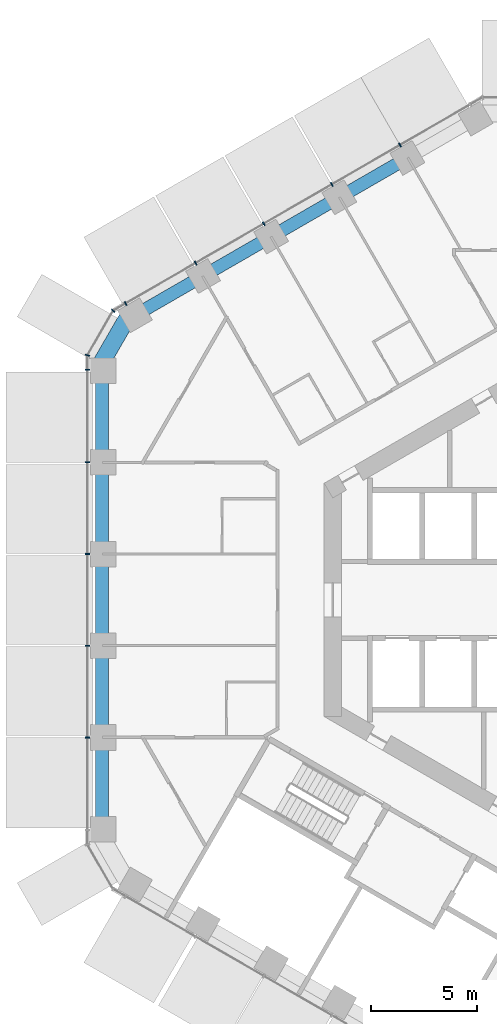
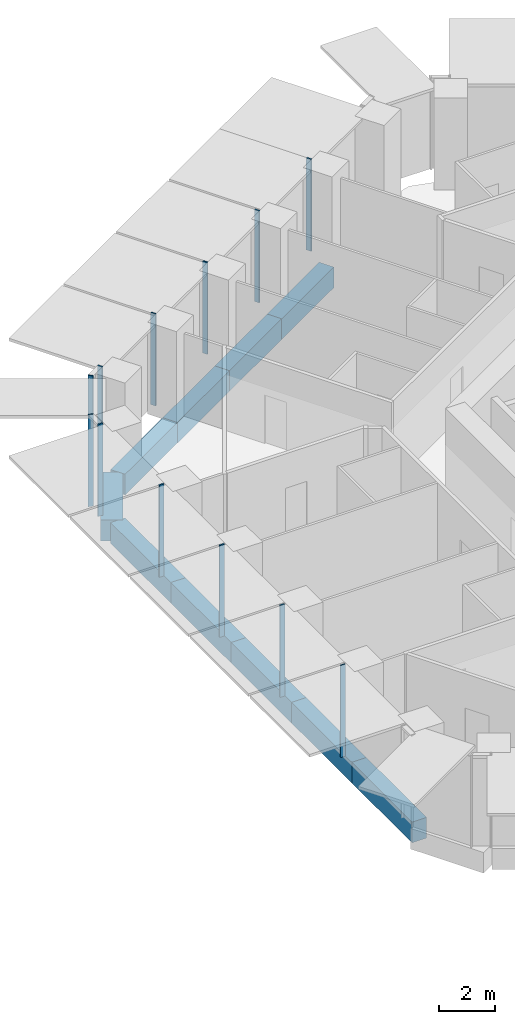
# One storey, part 6 of 28: 12 members, 10 beams, 3 elements without a shape of their own.
"""IFC4 building model written with IfcOpenShell, lengths in metres."""

from ifc_helpers import new_model, si_unit, direction, frame, origin, origin_2d, place, context, subcontext, project, spatial, rectangle, extrude, material, layer, layer_set, material_profile, profile_set, type_object, element, aggregate, save


model = new_model("IFC4")

# Units and contexts
model_context = context("Model", 3, precision=1e-05, world=origin(), true_north=direction((0.0, 1.0)))
body_context = subcontext(model_context, "Body", "Model", "MODEL_VIEW")
ifc_project = project(units=[si_unit("LENGTHUNIT", "METRE"), si_unit("AREAUNIT", "SQUARE_METRE"), si_unit("VOLUMEUNIT", "CUBIC_METRE"), si_unit("PLANEANGLEUNIT", "RADIAN"), si_unit("MASSUNIT", "GRAM", prefix="KILO")], contexts=[model_context])

# Site, building, storey
site_placement = place(None, origin())
site = spatial("IfcSite", under=ifc_project, at=site_placement, CompositionType="ELEMENT")
building_placement = place(site_placement, origin())
building = spatial("IfcBuilding", under=site, at=building_placement, Name="Ayvan Gate Tower", CompositionType="ELEMENT")
storey_placement = place(building_placement, frame((0.0, 0.0, 74.300048828125)))
storey = spatial("IfcBuildingStorey", under=building, at=storey_placement, Name="L19", CompositionType="ELEMENT", Elevation=74.300048828125)

# Beams
ifc_material_1 = material(Name="Concrete C40/50", Category="concrete")
ifc_material_profile_1 = material_profile(ifc_material_1, rectangle(XDim=0.800048828125, YDim=0.89990234375, at=origin_2d()), Name="RC 800x900")
ifc_profile_set_1 = profile_set([ifc_material_profile_1], Name="Concrete C40/50")
beam_type_1 = type_object("IfcBeamType", Name="Corner spandrel beam RC 800x900 C40/50", PredefinedType="BEAM", material=ifc_profile_set_1)
beam_1_placement = place(storey_placement, frame((-18.63818359375, 13.459228515625, -0.85009765625), z_axis=(-0.499990139034, -0.866031096941, 0.0), x_axis=(0.866031096941, -0.499990139034, 0.0)))
element("IfcBeam", 1, at=beam_1_placement, inside=storey, type_object=beam_type_1, Name="SB-L19-18", PredefinedType="BEAM", context=body_context, shape_type="SweptSolid", body=[
    extrude(rectangle(XDim=0.800048828125, YDim=0.89990234375, at=origin_2d()), origin(), (0.0, 0.0, 1.0), 3.0),
])
ifc_material_profile_2 = material_profile(ifc_material_1, rectangle(XDim=0.60009765625, YDim=0.89990234375, at=origin_2d()), Name="RC 600x900")
ifc_profile_set_2 = profile_set([ifc_material_profile_2], Name="Concrete C40/50")
beam_type_2 = type_object("IfcBeamType", Name="Spandrel beam RC 600x900 C40/50", PredefinedType="BEAM", material=ifc_profile_set_2)
for number, where, z_axis, x_axis, name in (
    (2, (-5.55908203125, 20.79052734375, -0.85009765625), (-0.866021677438, -0.500006454166, 0.0), (0.500006454166, -0.866021677438, 0.0), "SB-L19-14"),
    (3, (-8.78125, 18.93017578125, -0.85009765625), (-0.866021677438, -0.500006454166, 0.0), (0.500006454166, -0.866021677438, 0.0), "SB-L19-15"),
    (4, (-12.00341796875, 17.06982421875, -0.85009765625), (-0.866021677438, -0.500006454166, 0.0), (0.500006454166, -0.866021677438, 0.0), "SB-L19-16"),
):
    element("IfcBeam", number, at=place(storey_placement, frame(where, z_axis=z_axis, x_axis=x_axis)), inside=storey, type_object=beam_type_2, Name=name, PredefinedType="BEAM", context=body_context, shape_type="SweptSolid", body=[
        extrude(rectangle(XDim=0.60009765625, YDim=0.89990234375, at=origin_2d()), origin(), (0.0, 0.0, 1.0), 3.720703125),
    ])
beam_2_placement = place(storey_placement, frame((-15.2255859375, 15.20947265625, -0.85009765625), z_axis=(-0.86605009049, -0.499957238934, 0.0), x_axis=(0.499957238934, -0.86605009049, 0.0)))
element("IfcBeam", 5, at=beam_2_placement, inside=storey, type_object=beam_type_2, Name="SB-L19-17", PredefinedType="BEAM", context=body_context, shape_type="SweptSolid", body=[
    extrude(rectangle(XDim=0.60009765625, YDim=0.89990234375, at=origin_2d()), origin(), (0.0, 0.0, 1.0), 3.720458984375),
])
for number, where, z_axis, x_axis, name in (
    (6, (-19.94775390625, 10.751220703125, -0.85009765625), (0.0, -1.0, 0.0), (1.0, 0.0, 0.0), "SB-L19-19"),
    (7, (-19.94775390625, 6.45068359375, -0.85009765625), (0.0, -1.0, 0.0), (1.0, 0.0, 0.0), "SB-L19-20"),
):
    element("IfcBeam", number, at=place(storey_placement, frame(where, z_axis=z_axis, x_axis=x_axis)), inside=storey, type_object=beam_type_2, Name=name, PredefinedType="BEAM", context=body_context, shape_type="SweptSolid", body=[
        extrude(rectangle(XDim=0.60009765625, YDim=0.89990234375, at=origin_2d()), origin(), (0.0, 0.0, 1.0), 4.300537109375),
    ])
beam_3_placement = place(storey_placement, frame((-19.94775390625, 2.150146484375, -0.85009765625), z_axis=(0.0, -1.0, 0.0), x_axis=(1.0, 0.0, 0.0)))
element("IfcBeam", 8, at=beam_3_placement, inside=storey, type_object=beam_type_2, Name="SB-L19-21", PredefinedType="BEAM", context=body_context, shape_type="SweptSolid", body=[
    extrude(rectangle(XDim=0.60009765625, YDim=0.89990234375, at=origin_2d()), origin(), (0.0, 0.0, 1.0), 4.30029296875),
])
for number, where, z_axis, x_axis, name in (
    (9, (-19.94775390625, -2.150146484375, -0.85009765625), (0.0, -1.0, 0.0), (1.0, 0.0, 0.0), "SB-L19-22"),
    (10, (-19.94775390625, -6.45068359375, -0.85009765625), (0.0, -1.0, 0.0), (1.0, 0.0, 0.0), "SB-L19-23"),
):
    element("IfcBeam", number, at=place(storey_placement, frame(where, z_axis=z_axis, x_axis=x_axis)), inside=storey, type_object=beam_type_2, Name=name, PredefinedType="BEAM", context=body_context, shape_type="SweptSolid", body=[
        extrude(rectangle(XDim=0.60009765625, YDim=0.89990234375, at=origin_2d()), origin(), (0.0, 0.0, 1.0), 4.300537109375),
    ])

# Curtain wall, members
ifc_material_2 = material(Name="Bronze anodised aluminium", Category="aluminium")
ifc_layer_1 = layer(ifc_material_2, 0.199951171875)
ifc_layer_set_1 = layer_set([ifc_layer_1], Name="Bronze anodised aluminium")
curtain_wall_type_1 = type_object("IfcCurtainWallType", Name="Stick curtain wall CW-1", PredefinedType="NOTDEFINED", material=ifc_layer_set_1)
curtain_wall_1_placement = place(storey_placement, origin())
curtain_wall_1 = element("IfcCurtainWall", 11, at=curtain_wall_1_placement, inside=storey, type_object=curtain_wall_type_1, Name="Stick curtain wall CW-1 L19", PredefinedType="NOTDEFINED")
ifc_material_profile_3 = material_profile(ifc_material_2, rectangle(XDim=0.199951171875, YDim=0.06005859375, at=origin_2d()), Name="Stick curtain wall CW-1 mullion 200 x 60")
ifc_profile_set_3 = profile_set([ifc_material_profile_3], Name="Bronze anodised aluminium")
member_type_1 = type_object("IfcMemberType", Name="Stick curtain wall CW-1 mullion 200 x 60", PredefinedType="MULLION", material=ifc_profile_set_3)
member_1_placement = place(storey_placement, frame((-5.93896484375, 21.37939453125, 0.0), z_axis=(0.0, 0.0, 1.0), x_axis=(-0.5, 0.866025403784, 0.0)))
member_1 = element("IfcMember", 12, at=member_1_placement, type_object=member_type_1, Name="CW-1 mullion 2", PredefinedType="MULLION", context=body_context, shape_type="SweptSolid", body=[
    extrude(rectangle(XDim=0.199951171875, YDim=0.06005859375, at=origin_2d()), origin(), (0.0, 0.0, 1.0), 4.0),
])
member_2_placement = place(storey_placement, frame((-9.141357421875, 19.530517578125, 0.0), z_axis=(0.0, 0.0, 1.0), x_axis=(-0.5, 0.866025403784, 0.0)))
member_2 = element("IfcMember", 13, at=member_2_placement, type_object=member_type_1, Name="CW-1 mullion 3", PredefinedType="MULLION", context=body_context, shape_type="SweptSolid", body=[
    extrude(rectangle(XDim=0.199951171875, YDim=0.06005859375, at=origin_2d()), origin(), (0.0, 0.0, 1.0), 4.0),
])
member_3_placement = place(storey_placement, frame((-12.343017578125, 17.681884765625, 0.0), z_axis=(0.0, 0.0, 1.0), x_axis=(-0.5, 0.866025403784, 0.0)))
member_3 = element("IfcMember", 14, at=member_3_placement, type_object=member_type_1, Name="CW-1 mullion 4", PredefinedType="MULLION", context=body_context, shape_type="SweptSolid", body=[
    extrude(rectangle(XDim=0.199951171875, YDim=0.06005859375, at=origin_2d()), origin(), (0.0, 0.0, 1.0), 4.0),
])
member_4_placement = place(storey_placement, frame((-15.545654296875, 15.8330078125, 0.0), z_axis=(0.0, 0.0, 1.0), x_axis=(-0.5, 0.866025403784, 0.0)))
member_4 = element("IfcMember", 15, at=member_4_placement, type_object=member_type_1, Name="CW-1 mullion 5", PredefinedType="MULLION", context=body_context, shape_type="SweptSolid", body=[
    extrude(rectangle(XDim=0.199951171875, YDim=0.06005859375, at=origin_2d()), origin(), (0.0, 0.0, 1.0), 4.0),
])
member_5_placement = place(storey_placement, frame((-18.836669921875, 13.932861328125, 0.0), z_axis=(0.0, 0.0, 1.0), x_axis=(-0.5, 0.866025403784, 0.0)))
member_5 = element("IfcMember", 16, at=member_5_placement, type_object=member_type_1, Name="CW-1 mullion 6", PredefinedType="MULLION", context=body_context, shape_type="SweptSolid", body=[
    extrude(rectangle(XDim=0.199951171875, YDim=0.06005859375, at=origin_2d()), origin(), (0.0, 0.0, 1.0), 4.0),
])
aggregate(curtain_wall_1, [member_1, member_2, member_3, member_4, member_5])

curtain_wall_2_placement = place(storey_placement, origin())
curtain_wall_2 = element("IfcCurtainWall", 17, at=curtain_wall_2_placement, inside=storey, type_object=curtain_wall_type_1, Name="Stick curtain wall CW-1 L19", PredefinedType="NOTDEFINED")
member_6_placement = place(storey_placement, frame((-20.6328125, 10.82177734375, 0.0), z_axis=(0.0, 0.0, 1.0), x_axis=(-1.0, 0.0, 0.0)))
member_6 = element("IfcMember", 18, at=member_6_placement, type_object=member_type_1, Name="CW-1 mullion 1", PredefinedType="MULLION", context=body_context, shape_type="SweptSolid", body=[
    extrude(rectangle(XDim=0.199951171875, YDim=0.06005859375, at=origin_2d()), origin(), (0.0, 0.0, 1.0), 4.0),
])
member_7_placement = place(storey_placement, frame((-20.6328125, 6.468017578125, 0.0), z_axis=(0.0, 0.0, 1.0), x_axis=(-1.0, 0.0, 0.0)))
member_7 = element("IfcMember", 19, at=member_7_placement, type_object=member_type_1, Name="CW-1 mullion 2", PredefinedType="MULLION", context=body_context, shape_type="SweptSolid", body=[
    extrude(rectangle(XDim=0.199951171875, YDim=0.06005859375, at=origin_2d()), origin(), (0.0, 0.0, 1.0), 4.0),
])
member_8_placement = place(storey_placement, frame((-20.6328125, 2.156005859375, 0.0), z_axis=(0.0, 0.0, 1.0), x_axis=(-1.0, 0.0, 0.0)))
member_8 = element("IfcMember", 20, at=member_8_placement, type_object=member_type_1, Name="CW-1 mullion 3", PredefinedType="MULLION", context=body_context, shape_type="SweptSolid", body=[
    extrude(rectangle(XDim=0.199951171875, YDim=0.06005859375, at=origin_2d()), origin(), (0.0, 0.0, 1.0), 4.0),
])
member_9_placement = place(storey_placement, frame((-20.6328125, -2.156005859375, 0.0), z_axis=(0.0, 0.0, 1.0), x_axis=(-1.0, 0.0, 0.0)))
member_9 = element("IfcMember", 21, at=member_9_placement, type_object=member_type_1, Name="CW-1 mullion 4", PredefinedType="MULLION", context=body_context, shape_type="SweptSolid", body=[
    extrude(rectangle(XDim=0.199951171875, YDim=0.06005859375, at=origin_2d()), origin(), (0.0, 0.0, 1.0), 4.0),
])
member_10_placement = place(storey_placement, frame((-20.6328125, -6.468017578125, 0.0), z_axis=(0.0, 0.0, 1.0), x_axis=(-1.0, 0.0, 0.0)))
member_10 = element("IfcMember", 22, at=member_10_placement, type_object=member_type_1, Name="CW-1 mullion 5", PredefinedType="MULLION", context=body_context, shape_type="SweptSolid", body=[
    extrude(rectangle(XDim=0.199951171875, YDim=0.06005859375, at=origin_2d()), origin(), (0.0, 0.0, 1.0), 4.0),
])
aggregate(curtain_wall_2, [member_6, member_7, member_8, member_9, member_10])

ifc_layer_2 = layer(ifc_material_2, 0.199951171875)
ifc_layer_set_2 = layer_set([ifc_layer_2], Name="Bronze anodised aluminium")
curtain_wall_type_2 = type_object("IfcCurtainWallType", Name="Stick curtain wall CW-6", PredefinedType="NOTDEFINED", material=ifc_layer_set_2)
curtain_wall_3_placement = place(storey_placement, origin())
curtain_wall_3 = element("IfcCurtainWall", 23, at=curtain_wall_3_placement, inside=storey, type_object=curtain_wall_type_2, Name="Stick curtain wall CW-6 L19", PredefinedType="NOTDEFINED")
ifc_material_profile_4 = material_profile(ifc_material_2, rectangle(XDim=0.199951171875, YDim=0.050048828125, at=origin_2d()), Name="Stick curtain wall CW-6 mullion 200 x 50")
ifc_profile_set_4 = profile_set([ifc_material_profile_4], Name="Bronze anodised aluminium")
member_type_2 = type_object("IfcMemberType", Name="Stick curtain wall CW-6 mullion 200 x 50", PredefinedType="MULLION", material=ifc_profile_set_4)
member_11_placement = place(storey_placement, frame((-19.425537109375, 13.593017578125, 0.0), z_axis=(0.0, 0.0, 1.0), x_axis=(-0.707106781187, 0.707106781187, 0.0)))
member_11 = element("IfcMember", 24, at=member_11_placement, type_object=member_type_2, Name="CW-6 mullion 2", PredefinedType="MULLION", context=body_context, shape_type="SweptSolid", body=[
    extrude(rectangle(XDim=0.199951171875, YDim=0.050048828125, at=origin_2d()), origin(), (0.0, 0.0, 1.0), 4.0),
])
member_12_placement = place(storey_placement, frame((-20.6328125, 11.501953125, 0.0), z_axis=(0.0, 0.0, 1.0), x_axis=(-0.965925826289, 0.258819045103, 0.0)))
member_12 = element("IfcMember", 25, at=member_12_placement, type_object=member_type_2, Name="CW-6 mullion 3", PredefinedType="MULLION", context=body_context, shape_type="SweptSolid", body=[
    extrude(rectangle(XDim=0.199951171875, YDim=0.050048828125, at=origin_2d()), origin(), (0.0, 0.0, 1.0), 4.0),
])
aggregate(curtain_wall_3, [member_11, member_12])

save(model, "model.ifc")
